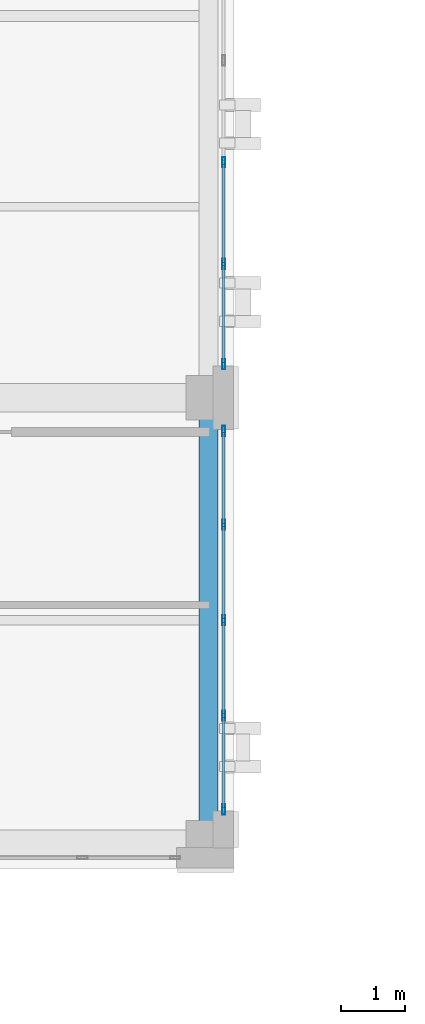
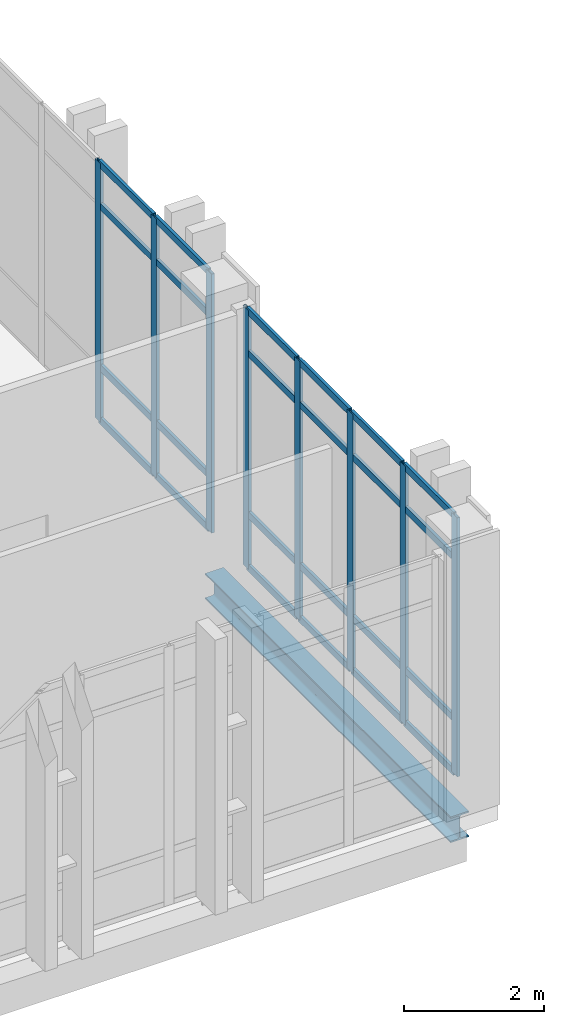
# One storey, part 112 of 189: 32 members, 1 beam, 2 elements without a shape of their own.
"""IFC4 building model written with IfcOpenShell, lengths in metres."""

from ifc_helpers import new_model, si_unit, direction, frame, origin, origin_2d, place, context, subcontext, project, spatial, hollow_rectangle, i_section, extrude, material, layer, layer_set, material_profile, profile_set, type_object, element, aggregate, save


model = new_model("IFC4")

# Units and contexts
model_context = context("Model", 3, precision=1e-05, world=origin(), true_north=direction((0.0, 1.0)))
body_context = subcontext(model_context, "Body", "Model", "MODEL_VIEW")
ifc_project = project(units=[si_unit("LENGTHUNIT", "METRE"), si_unit("AREAUNIT", "SQUARE_METRE"), si_unit("VOLUMEUNIT", "CUBIC_METRE"), si_unit("PLANEANGLEUNIT", "RADIAN"), si_unit("MASSUNIT", "GRAM", prefix="KILO")], contexts=[model_context])

# Site, building, storey
site_placement = place(None, origin())
site = spatial("IfcSite", under=ifc_project, at=site_placement, CompositionType="ELEMENT")
building_placement = place(site_placement, origin())
building = spatial("IfcBuilding", under=site, at=building_placement, Name="Qalavern Law Courts", CompositionType="ELEMENT")
storey_placement = place(building_placement, frame((0.0, 0.0, 5.39990234375)))
storey = spatial("IfcBuildingStorey", under=building, at=storey_placement, Name="L01", CompositionType="ELEMENT", Elevation=5.39990234375)

# Curtain wall, members
ifc_material_1 = material(Name="Anodised aluminium and insulated glazing", Category="aluminium")
ifc_layer = layer(ifc_material_1, 0.166015625)
ifc_layer_set = layer_set([ifc_layer], Name="Anodised aluminium and insulated glazing")
curtain_wall_type = type_object("IfcCurtainWallType", Name="ENV-CW-LIB", PredefinedType="USERDEFINED", material=ifc_layer_set)
curtain_wall_1_placement = place(storey_placement, origin())
curtain_wall_1 = element("IfcCurtainWall", 1, at=curtain_wall_1_placement, inside=storey, type_object=curtain_wall_type, Name="V5 unitised curtain wall L01 east 1", ObjectType="UNITISED CURTAIN WALL", PredefinedType="USERDEFINED")
ifc_material_2 = material(Name="Anodised aluminium", Category="aluminium")
ifc_material_profile_1 = material_profile(ifc_material_2, hollow_rectangle(XDim=0.048095703125, YDim=0.159912109375, WallThickness=0.00390625, at=origin_2d()), Name="ALU MULLION 48x160")
ifc_profile_set_1 = profile_set([ifc_material_profile_1], Name="Anodised aluminium")
member_type_1 = type_object("IfcMemberType", Name="ENV-CWM-48x160", PredefinedType="MULLION", material=ifc_profile_set_1)
member_1_placement = place(storey_placement, frame((66.637451171875, 97.1240234375, 0.0), z_axis=(0.0, 0.0, 1.0), x_axis=(-1.0, 0.0, 0.0)))
member_1 = element("IfcMember", 2, at=member_1_placement, type_object=member_type_1, Name="CW-05 mullion 1", PredefinedType="MULLION", context=body_context, shape_type="SweptSolid", body=[
    extrude(hollow_rectangle(XDim=0.048095703125, YDim=0.159912109375, WallThickness=0.00390625, at=origin_2d()), origin(), (0.0, 0.0, 1.0), 4.510009765625),
])
member_2_placement = place(storey_placement, frame((66.637451171875, 98.60009765625, 0.0), z_axis=(0.0, 0.0, 1.0), x_axis=(-1.0, 0.0, 0.0)))
member_2 = element("IfcMember", 3, at=member_2_placement, type_object=member_type_1, Name="CW-05 mullion 2", PredefinedType="MULLION", context=body_context, shape_type="SweptSolid", body=[
    extrude(hollow_rectangle(XDim=0.048095703125, YDim=0.159912109375, WallThickness=0.00390625, at=origin_2d()), origin(), (0.0, 0.0, 1.0), 4.510009765625),
])
member_3_placement = place(storey_placement, frame((66.637451171875, 100.10009765625, 0.0), z_axis=(0.0, 0.0, 1.0), x_axis=(-1.0, 0.0, 0.0)))
member_3 = element("IfcMember", 4, at=member_3_placement, type_object=member_type_1, Name="CW-05 mullion 3", PredefinedType="MULLION", context=body_context, shape_type="SweptSolid", body=[
    extrude(hollow_rectangle(XDim=0.048095703125, YDim=0.159912109375, WallThickness=0.00390625, at=origin_2d()), origin(), (0.0, 0.0, 1.0), 4.510009765625),
])
member_4_placement = place(storey_placement, frame((66.637451171875, 101.60009765625, 0.0), z_axis=(0.0, 0.0, 1.0), x_axis=(-1.0, 0.0, 0.0)))
member_4 = element("IfcMember", 5, at=member_4_placement, type_object=member_type_1, Name="CW-05 mullion 4", PredefinedType="MULLION", context=body_context, shape_type="SweptSolid", body=[
    extrude(hollow_rectangle(XDim=0.048095703125, YDim=0.159912109375, WallThickness=0.00390625, at=origin_2d()), origin(), (0.0, 0.0, 1.0), 4.510009765625),
])
member_5_placement = place(storey_placement, frame((66.637451171875, 103.075927734375, 0.0), z_axis=(0.0, 0.0, 1.0), x_axis=(-1.0, 0.0, 0.0)))
member_5 = element("IfcMember", 6, at=member_5_placement, type_object=member_type_1, Name="CW-05 mullion 5", PredefinedType="MULLION", context=body_context, shape_type="SweptSolid", body=[
    extrude(hollow_rectangle(XDim=0.048095703125, YDim=0.159912109375, WallThickness=0.00390625, at=origin_2d()), origin(), (0.0, 0.0, 1.0), 4.510009765625),
])

curtain_wall_2_placement = place(storey_placement, origin())
curtain_wall_2 = element("IfcCurtainWall", 7, at=curtain_wall_2_placement, inside=storey, type_object=curtain_wall_type, Name="V5 unitised curtain wall L01 east 2", ObjectType="UNITISED CURTAIN WALL", PredefinedType="USERDEFINED")
member_6_placement = place(storey_placement, frame((66.637451171875, 104.1240234375, 0.0), z_axis=(0.0, 0.0, 1.0), x_axis=(-1.0, 0.0, 0.0)))
member_6 = element("IfcMember", 8, at=member_6_placement, type_object=member_type_1, Name="CW-05 mullion 1", PredefinedType="MULLION", context=body_context, shape_type="SweptSolid", body=[
    extrude(hollow_rectangle(XDim=0.048095703125, YDim=0.159912109375, WallThickness=0.00390625, at=origin_2d()), origin(), (0.0, 0.0, 1.0), 4.510009765625),
])
member_7_placement = place(storey_placement, frame((66.637451171875, 105.699951171875, 0.0), z_axis=(0.0, 0.0, 1.0), x_axis=(-1.0, 0.0, 0.0)))
member_7 = element("IfcMember", 9, at=member_7_placement, type_object=member_type_1, Name="CW-05 mullion 2", PredefinedType="MULLION", context=body_context, shape_type="SweptSolid", body=[
    extrude(hollow_rectangle(XDim=0.048095703125, YDim=0.159912109375, WallThickness=0.00390625, at=origin_2d()), origin(), (0.0, 0.0, 1.0), 4.510009765625),
])
member_8_placement = place(storey_placement, frame((66.637451171875, 107.300048828125, 0.0), z_axis=(0.0, 0.0, 1.0), x_axis=(-1.0, 0.0, 0.0)))
member_8 = element("IfcMember", 10, at=member_8_placement, type_object=member_type_1, Name="CW-05 mullion 3", PredefinedType="MULLION", context=body_context, shape_type="SweptSolid", body=[
    extrude(hollow_rectangle(XDim=0.048095703125, YDim=0.159912109375, WallThickness=0.00390625, at=origin_2d()), origin(), (0.0, 0.0, 1.0), 4.510009765625),
])

# Member
ifc_material_profile_2 = material_profile(ifc_material_2, hollow_rectangle(XDim=0.048095703125, YDim=0.1201171875, WallThickness=0.00390625, at=origin_2d()), Name="ALU TRANSOM 48x120")
ifc_profile_set_2 = profile_set([ifc_material_profile_2], Name="Anodised aluminium")
member_type_2 = type_object("IfcMemberType", Name="ENV-CWT-48x120", PredefinedType="USERDEFINED", material=ifc_profile_set_2)
member_9_placement = place(storey_placement, frame((66.637451171875, 97.14794921875, 0.024169921875), z_axis=(0.0, 1.0, 0.0), x_axis=(-1.0, 0.0, 0.0)))
member_9 = element("IfcMember", 11, at=member_9_placement, type_object=member_type_2, Name="CW-05 transom 1.1", ObjectType="TRANSOM", PredefinedType="USERDEFINED", context=body_context, shape_type="SweptSolid", body=[
    extrude(hollow_rectangle(XDim=0.048095703125, YDim=0.1201171875, WallThickness=0.00390625, at=origin_2d()), origin(), (0.0, 0.0, 1.0), 1.427978515625),
])

member_10_placement = place(storey_placement, frame((66.637451171875, 97.14794921875, 0.9501953125), z_axis=(0.0, 1.0, 0.0), x_axis=(-1.0, 0.0, 0.0)))
member_10 = element("IfcMember", 12, at=member_10_placement, type_object=member_type_2, Name="CW-05 transom 1.2", ObjectType="TRANSOM", PredefinedType="USERDEFINED", context=body_context, shape_type="SweptSolid", body=[
    extrude(hollow_rectangle(XDim=0.048095703125, YDim=0.1201171875, WallThickness=0.00390625, at=origin_2d()), origin(), (0.0, 0.0, 1.0), 1.427978515625),
])

member_11_placement = place(storey_placement, frame((66.637451171875, 97.14794921875, 3.760009765625), z_axis=(0.0, 1.0, 0.0), x_axis=(-1.0, 0.0, 0.0)))
member_11 = element("IfcMember", 13, at=member_11_placement, type_object=member_type_2, Name="CW-05 transom 1.3", ObjectType="TRANSOM", PredefinedType="USERDEFINED", context=body_context, shape_type="SweptSolid", body=[
    extrude(hollow_rectangle(XDim=0.048095703125, YDim=0.1201171875, WallThickness=0.00390625, at=origin_2d()), origin(), (0.0, 0.0, 1.0), 1.427978515625),
])

member_12_placement = place(storey_placement, frame((66.637451171875, 97.14794921875, 4.486083984375), z_axis=(0.0, 1.0, 0.0), x_axis=(-1.0, 0.0, 0.0)))
member_12 = element("IfcMember", 14, at=member_12_placement, type_object=member_type_2, Name="CW-05 transom 1.4", ObjectType="TRANSOM", PredefinedType="USERDEFINED", context=body_context, shape_type="SweptSolid", body=[
    extrude(hollow_rectangle(XDim=0.048095703125, YDim=0.1201171875, WallThickness=0.00390625, at=origin_2d()), origin(), (0.0, 0.0, 1.0), 1.427978515625),
])

member_13_placement = place(storey_placement, frame((66.637451171875, 98.6240234375, 0.024169921875), z_axis=(0.0, 1.0, 0.0), x_axis=(-1.0, 0.0, 0.0)))
member_13 = element("IfcMember", 15, at=member_13_placement, type_object=member_type_2, Name="CW-05 transom 2.1", ObjectType="TRANSOM", PredefinedType="USERDEFINED", context=body_context, shape_type="SweptSolid", body=[
    extrude(hollow_rectangle(XDim=0.048095703125, YDim=0.1201171875, WallThickness=0.00390625, at=origin_2d()), origin(), (0.0, 0.0, 1.0), 1.451904296875),
])

member_14_placement = place(storey_placement, frame((66.637451171875, 98.6240234375, 0.9501953125), z_axis=(0.0, 1.0, 0.0), x_axis=(-1.0, 0.0, 0.0)))
member_14 = element("IfcMember", 16, at=member_14_placement, type_object=member_type_2, Name="CW-05 transom 2.2", ObjectType="TRANSOM", PredefinedType="USERDEFINED", context=body_context, shape_type="SweptSolid", body=[
    extrude(hollow_rectangle(XDim=0.048095703125, YDim=0.1201171875, WallThickness=0.00390625, at=origin_2d()), origin(), (0.0, 0.0, 1.0), 1.451904296875),
])

member_15_placement = place(storey_placement, frame((66.637451171875, 98.6240234375, 3.760009765625), z_axis=(0.0, 1.0, 0.0), x_axis=(-1.0, 0.0, 0.0)))
member_15 = element("IfcMember", 17, at=member_15_placement, type_object=member_type_2, Name="CW-05 transom 2.3", ObjectType="TRANSOM", PredefinedType="USERDEFINED", context=body_context, shape_type="SweptSolid", body=[
    extrude(hollow_rectangle(XDim=0.048095703125, YDim=0.1201171875, WallThickness=0.00390625, at=origin_2d()), origin(), (0.0, 0.0, 1.0), 1.451904296875),
])

member_16_placement = place(storey_placement, frame((66.637451171875, 98.6240234375, 4.486083984375), z_axis=(0.0, 1.0, 0.0), x_axis=(-1.0, 0.0, 0.0)))
member_16 = element("IfcMember", 18, at=member_16_placement, type_object=member_type_2, Name="CW-05 transom 2.4", ObjectType="TRANSOM", PredefinedType="USERDEFINED", context=body_context, shape_type="SweptSolid", body=[
    extrude(hollow_rectangle(XDim=0.048095703125, YDim=0.1201171875, WallThickness=0.00390625, at=origin_2d()), origin(), (0.0, 0.0, 1.0), 1.451904296875),
])

member_17_placement = place(storey_placement, frame((66.637451171875, 100.1240234375, 0.024169921875), z_axis=(0.0, 1.0, 0.0), x_axis=(-1.0, 0.0, 0.0)))
member_17 = element("IfcMember", 19, at=member_17_placement, type_object=member_type_2, Name="CW-05 transom 3.1", ObjectType="TRANSOM", PredefinedType="USERDEFINED", context=body_context, shape_type="SweptSolid", body=[
    extrude(hollow_rectangle(XDim=0.048095703125, YDim=0.1201171875, WallThickness=0.00390625, at=origin_2d()), origin(), (0.0, 0.0, 1.0), 1.451904296875),
])

member_18_placement = place(storey_placement, frame((66.637451171875, 100.1240234375, 0.9501953125), z_axis=(0.0, 1.0, 0.0), x_axis=(-1.0, 0.0, 0.0)))
member_18 = element("IfcMember", 20, at=member_18_placement, type_object=member_type_2, Name="CW-05 transom 3.2", ObjectType="TRANSOM", PredefinedType="USERDEFINED", context=body_context, shape_type="SweptSolid", body=[
    extrude(hollow_rectangle(XDim=0.048095703125, YDim=0.1201171875, WallThickness=0.00390625, at=origin_2d()), origin(), (0.0, 0.0, 1.0), 1.451904296875),
])

member_19_placement = place(storey_placement, frame((66.637451171875, 100.1240234375, 3.760009765625), z_axis=(0.0, 1.0, 0.0), x_axis=(-1.0, 0.0, 0.0)))
member_19 = element("IfcMember", 21, at=member_19_placement, type_object=member_type_2, Name="CW-05 transom 3.3", ObjectType="TRANSOM", PredefinedType="USERDEFINED", context=body_context, shape_type="SweptSolid", body=[
    extrude(hollow_rectangle(XDim=0.048095703125, YDim=0.1201171875, WallThickness=0.00390625, at=origin_2d()), origin(), (0.0, 0.0, 1.0), 1.451904296875),
])

member_20_placement = place(storey_placement, frame((66.637451171875, 100.1240234375, 4.486083984375), z_axis=(0.0, 1.0, 0.0), x_axis=(-1.0, 0.0, 0.0)))
member_20 = element("IfcMember", 22, at=member_20_placement, type_object=member_type_2, Name="CW-05 transom 3.4", ObjectType="TRANSOM", PredefinedType="USERDEFINED", context=body_context, shape_type="SweptSolid", body=[
    extrude(hollow_rectangle(XDim=0.048095703125, YDim=0.1201171875, WallThickness=0.00390625, at=origin_2d()), origin(), (0.0, 0.0, 1.0), 1.451904296875),
])

member_21_placement = place(storey_placement, frame((66.637451171875, 101.6240234375, 0.024169921875), z_axis=(0.0, 1.0, 0.0), x_axis=(-1.0, 0.0, 0.0)))
member_21 = element("IfcMember", 23, at=member_21_placement, type_object=member_type_2, Name="CW-05 transom 4.1", ObjectType="TRANSOM", PredefinedType="USERDEFINED", context=body_context, shape_type="SweptSolid", body=[
    extrude(hollow_rectangle(XDim=0.048095703125, YDim=0.1201171875, WallThickness=0.00390625, at=origin_2d()), origin(), (0.0, 0.0, 1.0), 1.427978515625),
])

member_22_placement = place(storey_placement, frame((66.637451171875, 101.6240234375, 0.9501953125), z_axis=(0.0, 1.0, 0.0), x_axis=(-1.0, 0.0, 0.0)))
member_22 = element("IfcMember", 24, at=member_22_placement, type_object=member_type_2, Name="CW-05 transom 4.2", ObjectType="TRANSOM", PredefinedType="USERDEFINED", context=body_context, shape_type="SweptSolid", body=[
    extrude(hollow_rectangle(XDim=0.048095703125, YDim=0.1201171875, WallThickness=0.00390625, at=origin_2d()), origin(), (0.0, 0.0, 1.0), 1.427978515625),
])

member_23_placement = place(storey_placement, frame((66.637451171875, 101.6240234375, 3.760009765625), z_axis=(0.0, 1.0, 0.0), x_axis=(-1.0, 0.0, 0.0)))
member_23 = element("IfcMember", 25, at=member_23_placement, type_object=member_type_2, Name="CW-05 transom 4.3", ObjectType="TRANSOM", PredefinedType="USERDEFINED", context=body_context, shape_type="SweptSolid", body=[
    extrude(hollow_rectangle(XDim=0.048095703125, YDim=0.1201171875, WallThickness=0.00390625, at=origin_2d()), origin(), (0.0, 0.0, 1.0), 1.427978515625),
])

member_24_placement = place(storey_placement, frame((66.637451171875, 101.6240234375, 4.486083984375), z_axis=(0.0, 1.0, 0.0), x_axis=(-1.0, 0.0, 0.0)))
member_24 = element("IfcMember", 26, at=member_24_placement, type_object=member_type_2, Name="CW-05 transom 4.4", ObjectType="TRANSOM", PredefinedType="USERDEFINED", context=body_context, shape_type="SweptSolid", body=[
    extrude(hollow_rectangle(XDim=0.048095703125, YDim=0.1201171875, WallThickness=0.00390625, at=origin_2d()), origin(), (0.0, 0.0, 1.0), 1.427978515625),
])

aggregate(curtain_wall_1, [member_1, member_2, member_3, member_4, member_5, member_9, member_10, member_11, member_12, member_13, member_14, member_15, member_16, member_17, member_18, member_19, member_20, member_21, member_22, member_23, member_24])

member_25_placement = place(storey_placement, frame((66.637451171875, 104.14794921875, 0.024169921875), z_axis=(0.0, 1.0, 0.0), x_axis=(-1.0, 0.0, 0.0)))
member_25 = element("IfcMember", 27, at=member_25_placement, type_object=member_type_2, Name="CW-05 transom 1.1", ObjectType="TRANSOM", PredefinedType="USERDEFINED", context=body_context, shape_type="SweptSolid", body=[
    extrude(hollow_rectangle(XDim=0.048095703125, YDim=0.1201171875, WallThickness=0.00390625, at=origin_2d()), origin(), (0.0, 0.0, 1.0), 1.528076171875),
])

member_26_placement = place(storey_placement, frame((66.637451171875, 104.14794921875, 0.9501953125), z_axis=(0.0, 1.0, 0.0), x_axis=(-1.0, 0.0, 0.0)))
member_26 = element("IfcMember", 28, at=member_26_placement, type_object=member_type_2, Name="CW-05 transom 1.2", ObjectType="TRANSOM", PredefinedType="USERDEFINED", context=body_context, shape_type="SweptSolid", body=[
    extrude(hollow_rectangle(XDim=0.048095703125, YDim=0.1201171875, WallThickness=0.00390625, at=origin_2d()), origin(), (0.0, 0.0, 1.0), 1.528076171875),
])

member_27_placement = place(storey_placement, frame((66.637451171875, 104.14794921875, 3.760009765625), z_axis=(0.0, 1.0, 0.0), x_axis=(-1.0, 0.0, 0.0)))
member_27 = element("IfcMember", 29, at=member_27_placement, type_object=member_type_2, Name="CW-05 transom 1.3", ObjectType="TRANSOM", PredefinedType="USERDEFINED", context=body_context, shape_type="SweptSolid", body=[
    extrude(hollow_rectangle(XDim=0.048095703125, YDim=0.1201171875, WallThickness=0.00390625, at=origin_2d()), origin(), (0.0, 0.0, 1.0), 1.528076171875),
])

member_28_placement = place(storey_placement, frame((66.637451171875, 104.14794921875, 4.486083984375), z_axis=(0.0, 1.0, 0.0), x_axis=(-1.0, 0.0, 0.0)))
member_28 = element("IfcMember", 30, at=member_28_placement, type_object=member_type_2, Name="CW-05 transom 1.4", ObjectType="TRANSOM", PredefinedType="USERDEFINED", context=body_context, shape_type="SweptSolid", body=[
    extrude(hollow_rectangle(XDim=0.048095703125, YDim=0.1201171875, WallThickness=0.00390625, at=origin_2d()), origin(), (0.0, 0.0, 1.0), 1.528076171875),
])

member_29_placement = place(storey_placement, frame((66.637451171875, 105.72412109375, 0.024169921875), z_axis=(0.0, 1.0, 0.0), x_axis=(-1.0, 0.0, 0.0)))
member_29 = element("IfcMember", 31, at=member_29_placement, type_object=member_type_2, Name="CW-05 transom 2.1", ObjectType="TRANSOM", PredefinedType="USERDEFINED", context=body_context, shape_type="SweptSolid", body=[
    extrude(hollow_rectangle(XDim=0.048095703125, YDim=0.1201171875, WallThickness=0.00390625, at=origin_2d()), origin(), (0.0, 0.0, 1.0), 1.5517578125),
])

member_30_placement = place(storey_placement, frame((66.637451171875, 105.72412109375, 0.9501953125), z_axis=(0.0, 1.0, 0.0), x_axis=(-1.0, 0.0, 0.0)))
member_30 = element("IfcMember", 32, at=member_30_placement, type_object=member_type_2, Name="CW-05 transom 2.2", ObjectType="TRANSOM", PredefinedType="USERDEFINED", context=body_context, shape_type="SweptSolid", body=[
    extrude(hollow_rectangle(XDim=0.048095703125, YDim=0.1201171875, WallThickness=0.00390625, at=origin_2d()), origin(), (0.0, 0.0, 1.0), 1.5517578125),
])

member_31_placement = place(storey_placement, frame((66.637451171875, 105.72412109375, 3.760009765625), z_axis=(0.0, 1.0, 0.0), x_axis=(-1.0, 0.0, 0.0)))
member_31 = element("IfcMember", 33, at=member_31_placement, type_object=member_type_2, Name="CW-05 transom 2.3", ObjectType="TRANSOM", PredefinedType="USERDEFINED", context=body_context, shape_type="SweptSolid", body=[
    extrude(hollow_rectangle(XDim=0.048095703125, YDim=0.1201171875, WallThickness=0.00390625, at=origin_2d()), origin(), (0.0, 0.0, 1.0), 1.5517578125),
])

member_32_placement = place(storey_placement, frame((66.637451171875, 105.72412109375, 4.486083984375), z_axis=(0.0, 1.0, 0.0), x_axis=(-1.0, 0.0, 0.0)))
member_32 = element("IfcMember", 34, at=member_32_placement, type_object=member_type_2, Name="CW-05 transom 2.4", ObjectType="TRANSOM", PredefinedType="USERDEFINED", context=body_context, shape_type="SweptSolid", body=[
    extrude(hollow_rectangle(XDim=0.048095703125, YDim=0.1201171875, WallThickness=0.00390625, at=origin_2d()), origin(), (0.0, 0.0, 1.0), 1.5517578125),
])

aggregate(curtain_wall_2, [member_6, member_7, member_8, member_25, member_26, member_27, member_28, member_29, member_30, member_31, member_32])

# Beam
ifc_material_3 = material(Name="Steel S355", Category="steel")
ifc_material_profile_3 = material_profile(ifc_material_3, i_section(OverallWidth=0.300048828125, OverallDepth=0.449951171875, WebThickness=0.013916015625, FlangeThickness=0.02587890625, FilletRadius=0.027099609375, at=origin_2d()), Name="HEB 450")
ifc_profile_set_3 = profile_set([ifc_material_profile_3], Name="Steel S355")
beam_type = type_object("IfcBeamType", Name="STR-SP-HEB450", PredefinedType="SPANDREL", material=ifc_profile_set_3)
beam_placement = place(storey_placement, frame((66.39990234375, 96.60009765625, -0.52490234375), z_axis=(0.0, 1.0, 0.0), x_axis=(-1.0, 0.0, 0.0)))
element("IfcBeam", 35, at=beam_placement, inside=storey, type_object=beam_type, Name="V5 Y-beam 9-1 L01", PredefinedType="SPANDREL", context=body_context, shape_type="SweptSolid", body=[
    extrude(i_section(OverallWidth=0.300048828125, OverallDepth=0.449951171875, WebThickness=0.013916015625, FlangeThickness=0.02587890625, FilletRadius=0.027099609375, at=origin_2d()), origin(), (0.0, 0.0, 1.0), 7.0),
])

save(model, "model.ifc")
